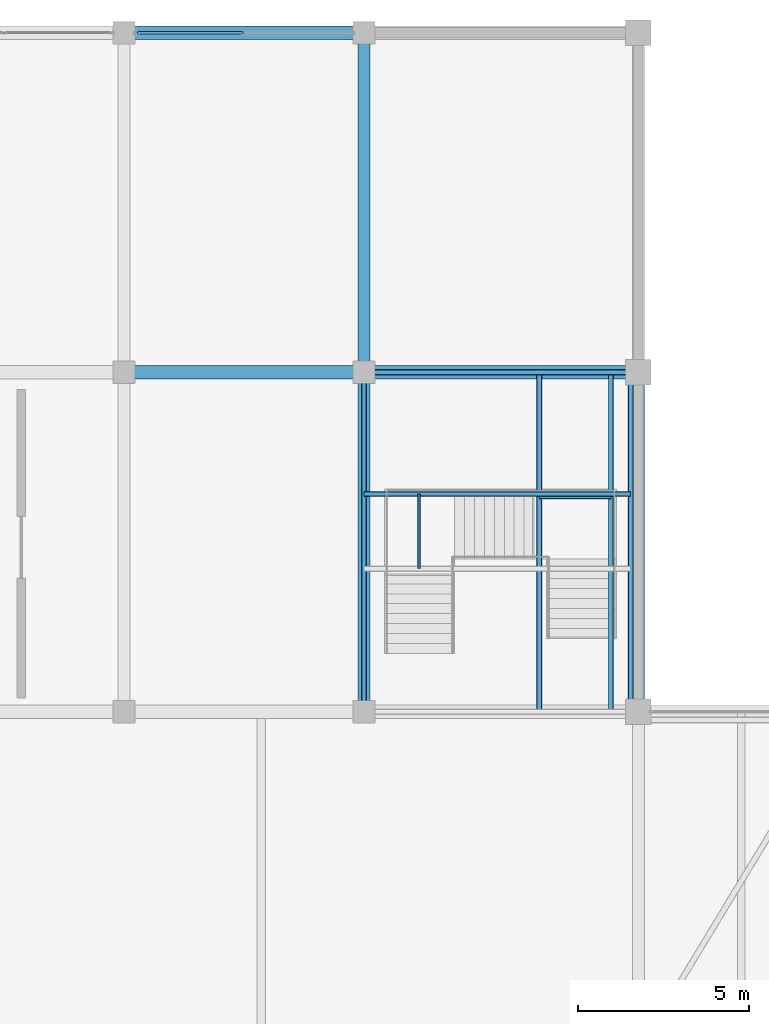
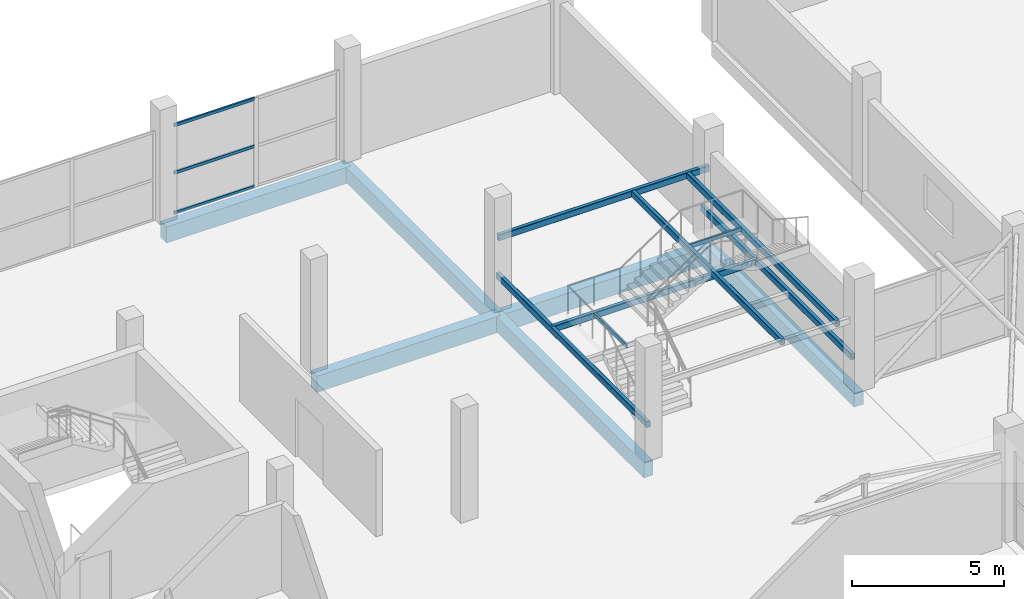
# One storey, part 45 of 69: 14 beams, 3 members, 1 element without a shape of its own.
"""IFC4 building model written with IfcOpenShell, lengths in metres."""

from ifc_helpers import new_model, si_unit, direction, frame, origin, origin_2d, place, context, subcontext, project, spatial, rectangle, hollow_rectangle, extrude, material, layer, layer_set, material_profile, profile_set, type_object, element, aggregate, save


model = new_model("IFC4")

# Units and contexts
model_context = context("Model", 3, precision=1e-05, world=origin(), true_north=direction((0.0, 1.0)))
body_context = subcontext(model_context, "Body", "Model", "MODEL_VIEW")
ifc_project = project(units=[si_unit("LENGTHUNIT", "METRE"), si_unit("AREAUNIT", "SQUARE_METRE"), si_unit("VOLUMEUNIT", "CUBIC_METRE"), si_unit("PLANEANGLEUNIT", "RADIAN"), si_unit("MASSUNIT", "GRAM", prefix="KILO")], contexts=[model_context])

# Site, building, storey
site_placement = place(None, origin())
site = spatial("IfcSite", under=ifc_project, at=site_placement, CompositionType="ELEMENT")
building_placement = place(site_placement, origin())
building = spatial("IfcBuilding", under=site, at=building_placement, Name="Sillaruma Civic Art Gallery", CompositionType="ELEMENT")
storey_placement = place(building_placement, frame((0.0, 0.0, 42.330078125)))
storey = spatial("IfcBuildingStorey", under=building, at=storey_placement, Name="L08", CompositionType="ELEMENT", Elevation=42.330078125)

# Beams
ifc_material_1 = material(Name="Concrete H35 (35 MPa)", Category="concrete")
ifc_material_profile_1 = material_profile(ifc_material_1, rectangle(XDim=0.35009765625, YDim=0.60009765625, at=origin_2d()), Name="RCB350x600")
ifc_profile_set_1 = profile_set([ifc_material_profile_1], Name="Concrete H35 (35 MPa)")
beam_type_1 = type_object("IfcBeamType", Name="BM-BEAM-RCB350x600", PredefinedType="BEAM", material=ifc_profile_set_1)
beam_1_placement = place(storey_placement, frame((84.0, 79.199951171875, -0.580078125), z_axis=(0.0, 1.0, 0.0), x_axis=(-1.0, 0.0, 0.0)))
element("IfcBeam", 1, at=beam_1_placement, inside=storey, type_object=beam_type_1, Name="Beam BM-06 (L07:J:9-10)", PredefinedType="BEAM", context=body_context, shape_type="SweptSolid", body=[
    extrude(rectangle(XDim=0.35009765625, YDim=0.60009765625, at=origin_2d()), origin(), (0.0, 0.0, 1.0), 9.900146484375),
])
beam_2_placement = place(storey_placement, frame((84.0, 89.10009765625, -0.580078125), z_axis=(0.0, 1.0, 0.0), x_axis=(-1.0, 0.0, 0.0)))
element("IfcBeam", 2, at=beam_2_placement, inside=storey, type_object=beam_type_1, Name="Beam BM-06 (L07:J:10-11)", PredefinedType="BEAM", context=body_context, shape_type="SweptSolid", body=[
    extrude(rectangle(XDim=0.35009765625, YDim=0.60009765625, at=origin_2d()), origin(), (0.0, 0.0, 1.0), 9.89990234375),
])
ifc_material_profile_2 = material_profile(ifc_material_1, rectangle(XDim=0.39990234375, YDim=0.64990234375, at=origin_2d()), Name="RCB400x650")
ifc_profile_set_2 = profile_set([ifc_material_profile_2], Name="Concrete H35 (35 MPa)")
beam_type_2 = type_object("IfcBeamType", Name="BM-BEAM-RCB400x650", PredefinedType="BEAM", material=ifc_profile_set_2)
beam_3_placement = place(storey_placement, frame((77.0, 89.10009765625, -0.60498046875), z_axis=(1.0, 0.0, 0.0), x_axis=(0.0, 1.0, 0.0)))
element("IfcBeam", 3, at=beam_3_placement, inside=storey, type_object=beam_type_2, Name="Beam BM-05 (L07:10:H-J)", PredefinedType="BEAM", context=body_context, shape_type="SweptSolid", body=[
    extrude(rectangle(XDim=0.39990234375, YDim=0.64990234375, at=origin_2d()), origin(), (0.0, 0.0, 1.0), 7.0),
])
ifc_material_profile_3 = material_profile(ifc_material_1, rectangle(XDim=0.39990234375, YDim=0.699951171875, at=origin_2d()), Name="RCB400x700")
ifc_profile_set_3 = profile_set([ifc_material_profile_3], Name="Concrete H35 (35 MPa)")
beam_type_3 = type_object("IfcBeamType", Name="BM-BEAM-RCB400x700", PredefinedType="BEAM", material=ifc_profile_set_3)
beam_4_placement = place(storey_placement, frame((84.0, 89.10009765625, -0.630126953125), z_axis=(1.0, 0.0, 0.0), x_axis=(0.0, 1.0, 0.0)))
element("IfcBeam", 4, at=beam_4_placement, inside=storey, type_object=beam_type_3, Name="Beam BM-04 (L07:10:J-K)", PredefinedType="BEAM", context=body_context, shape_type="SweptSolid", body=[
    extrude(rectangle(XDim=0.39990234375, YDim=0.699951171875, at=origin_2d()), origin(), (0.0, 0.0, 1.0), 8.0),
])
ifc_material_2 = material(Name="Structural Steel ASTM A500 Gr.C", Category="steel")
ifc_material_profile_4 = material_profile(ifc_material_2, hollow_rectangle(XDim=0.080078125, YDim=0.159912109375, WallThickness=0.008056640625, InnerFilletRadius=0.008056640625, OuterFilletRadius=0.01611328125, at=origin_2d()), Name="HSS160x80x8")
ifc_profile_set_4 = profile_set([ifc_material_profile_4], Name="Structural Steel ASTM A500 Gr.C")
beam_type_4 = type_object("IfcBeamType", Name="BM-FS-HSS160", PredefinedType="BEAM", material=ifc_profile_set_4)
beam_5_placement = place(storey_placement, frame((85.60009765625, 83.3701171875, 1.264892578125), z_axis=(0.0, 1.0, 0.0), x_axis=(-1.0, 0.0, 0.0)))
element("IfcBeam", 5, at=beam_5_placement, inside=storey, type_object=beam_type_4, Name="Feature Stair L1 Spreader (ST-G05)", PredefinedType="BEAM", context=body_context, shape_type="SweptSolid", body=[
    extrude(hollow_rectangle(XDim=0.080078125, YDim=0.159912109375, WallThickness=0.008056640625, InnerFilletRadius=0.008056640625, OuterFilletRadius=0.01611328125, at=origin_2d()), origin(), (0.0, 0.0, 1.0), 2.179931640625),
])
beam_6_placement = place(storey_placement, frame((89.110107421875, 85.449951171875, 2.794921875), z_axis=(1.0, 0.0, 0.0), x_axis=(0.0, 1.0, 0.0)))
element("IfcBeam", 6, at=beam_6_placement, inside=storey, type_object=beam_type_4, Name="Feature Stair L2 Spreader (ST-G05)", PredefinedType="BEAM", context=body_context, shape_type="SweptSolid", body=[
    extrude(hollow_rectangle(XDim=0.080078125, YDim=0.159912109375, WallThickness=0.008056640625, InnerFilletRadius=0.008056640625, OuterFilletRadius=0.01611328125, at=origin_2d()), origin(), (0.0, 0.0, 1.0), 2.08984375),
])
ifc_material_profile_5 = material_profile(ifc_material_2, hollow_rectangle(XDim=0.14990234375, YDim=0.25, WallThickness=0.010009765625, InnerFilletRadius=0.010009765625, OuterFilletRadius=0.02001953125, at=origin_2d()), Name="HSS250x150x10")
ifc_profile_set_5 = profile_set([ifc_material_profile_5], Name="Structural Steel ASTM A500 Gr.C")
beam_type_5 = type_object("IfcBeamType", Name="BM-LND-HSS200", PredefinedType="BEAM", material=ifc_profile_set_5)
for number, where, z_axis, x_axis, name in (
    (7, (84.0, 79.199951171875, 1.219970703125), (0.0, 1.0, 0.0), (-1.0, 0.0, 0.0), "Feature Stair L1 Rail (ST-G05-W)"),
    (8, (91.77490234375, 79.199951171875, 1.219970703125), (0.0, 1.0, 0.0), (-1.0, 0.0, 0.0), "Feature Stair L1 Rail (ST-G05-E)"),
):
    element("IfcBeam", number, at=place(storey_placement, frame(where, z_axis=z_axis, x_axis=x_axis)), inside=storey, type_object=beam_type_5, Name=name, PredefinedType="BEAM", context=body_context, shape_type="SweptSolid", body=[
        extrude(hollow_rectangle(XDim=0.14990234375, YDim=0.25, WallThickness=0.010009765625, InnerFilletRadius=0.010009765625, OuterFilletRadius=0.02001953125, at=origin_2d()), origin(), (0.0, 0.0, 1.0), 9.900146484375),
    ])
beam_7_placement = place(storey_placement, frame((84.0, 85.550048828125, 1.219970703125), z_axis=(1.0, 0.0, 0.0), x_axis=(0.0, 1.0, 0.0)))
element("IfcBeam", 9, at=beam_7_placement, inside=storey, type_object=beam_type_5, Name="Feature Stair L1 Girder (ST-G05-2)", PredefinedType="BEAM", context=body_context, shape_type="SweptSolid", body=[
    extrude(hollow_rectangle(XDim=0.14990234375, YDim=0.25, WallThickness=0.010009765625, InnerFilletRadius=0.010009765625, OuterFilletRadius=0.02001953125, at=origin_2d()), origin(), (0.0, 0.0, 1.0), 7.77490234375),
])
beam_8_placement = place(storey_placement, frame((84.0, 89.10009765625, 2.75), z_axis=(1.0, 0.0, 0.0), x_axis=(0.0, 1.0, 0.0)))
element("IfcBeam", 10, at=beam_8_placement, inside=storey, type_object=beam_type_5, Name="Feature Stair L2 Rail (ST-G05-N)", PredefinedType="BEAM", context=body_context, shape_type="SweptSolid", body=[
    extrude(hollow_rectangle(XDim=0.14990234375, YDim=0.25, WallThickness=0.010009765625, InnerFilletRadius=0.010009765625, OuterFilletRadius=0.02001953125, at=origin_2d()), origin(), (0.0, 0.0, 1.0), 8.0),
])
for number, where, z_axis, x_axis, name in (
    (11, (89.110107421875, 79.199951171875, 2.75), (0.0, 1.0, 0.0), (-1.0, 0.0, 0.0), "Feature Stair L2 Girder (ST-G05-1)"),
    (12, (91.199951171875, 79.199951171875, 2.75), (0.0, 1.0, 0.0), (-1.0, 0.0, 0.0), "Feature Stair L2 Girder (ST-G05-2)"),
):
    element("IfcBeam", number, at=place(storey_placement, frame(where, z_axis=z_axis, x_axis=x_axis)), inside=storey, type_object=beam_type_5, Name=name, PredefinedType="BEAM", context=body_context, shape_type="SweptSolid", body=[
        extrude(hollow_rectangle(XDim=0.14990234375, YDim=0.25, WallThickness=0.010009765625, InnerFilletRadius=0.010009765625, OuterFilletRadius=0.02001953125, at=origin_2d()), origin(), (0.0, 0.0, 1.0), 9.900146484375),
    ])
ifc_material_profile_6 = material_profile(ifc_material_1, rectangle(XDim=0.35009765625, YDim=0.550048828125, at=origin_2d()), Name="RCB350x550")
ifc_profile_set_6 = profile_set([ifc_material_profile_6], Name="Concrete H35 (35 MPa)")
beam_type_6 = type_object("IfcBeamType", Name="BM-SPANDREL-RCB350x550", PredefinedType="SPANDREL", material=ifc_profile_set_6)
beam_9_placement = place(storey_placement, frame((92.0, 79.199951171875, -0.55517578125), z_axis=(0.0, 1.0, 0.0), x_axis=(-1.0, 0.0, 0.0)))
element("IfcBeam", 13, at=beam_9_placement, inside=storey, type_object=beam_type_6, Name="Beam BS-04 (L07:K:9-10)", PredefinedType="SPANDREL", context=body_context, shape_type="SweptSolid", body=[
    extrude(rectangle(XDim=0.35009765625, YDim=0.550048828125, at=origin_2d()), origin(), (0.0, 0.0, 1.0), 9.900146484375),
])
ifc_material_profile_7 = material_profile(ifc_material_1, rectangle(XDim=0.39990234375, YDim=0.64990234375, at=origin_2d()), Name="RCB400x650")
ifc_profile_set_7 = profile_set([ifc_material_profile_7], Name="Concrete H35 (35 MPa)")
beam_type_7 = type_object("IfcBeamType", Name="BM-SPANDREL-RCB400x650", PredefinedType="SPANDREL", material=ifc_profile_set_7)
beam_10_placement = place(storey_placement, frame((77.0, 99.0, -0.60498046875), z_axis=(1.0, 0.0, 0.0), x_axis=(0.0, 1.0, 0.0)))
element("IfcBeam", 14, at=beam_10_placement, inside=storey, type_object=beam_type_7, Name="Beam BS-02 (L07:11:H-J)", PredefinedType="SPANDREL", context=body_context, shape_type="SweptSolid", body=[
    extrude(rectangle(XDim=0.39990234375, YDim=0.64990234375, at=origin_2d()), origin(), (0.0, 0.0, 1.0), 7.0),
])

# Curtain wall, members
ifc_material_3 = material(Name="Thermally Broken Extruded Aluminium 6063-T6", Category="aluminium")
ifc_layer = layer(ifc_material_3, 0.179931640625, Name="Thermally Broken Extruded Aluminium 6063-T6")
ifc_layer_set = layer_set([ifc_layer], Name="Thermally Broken Extruded Aluminium 6063-T6")
curtain_wall_type = type_object("IfcCurtainWallType", Name="CW-UNI-57", PredefinedType="NOTDEFINED", material=ifc_layer_set)
curtain_wall_placement = place(storey_placement, origin())
curtain_wall = element("IfcCurtainWall", 15, at=curtain_wall_placement, inside=storey, type_object=curtain_wall_type, Name="Unitised Curtain Wall CW-57 (CW-L08-WBN-3)", PredefinedType="NOTDEFINED")
ifc_material_profile_8 = material_profile(ifc_material_3, hollow_rectangle(XDim=0.06494140625, YDim=0.1201171875, WallThickness=0.00341796875, at=origin_2d()), Name="CWT65x120")
ifc_profile_set_8 = profile_set([ifc_material_profile_8], Name="Thermally Broken Extruded Aluminium 6063-T6")
member_type = type_object("IfcMemberType", Name="MEM-TRN-CWT65x120", PredefinedType="USERDEFINED", material=ifc_profile_set_8)
member_1_placement = place(storey_placement, frame((77.39501953125, 99.0, 0.032470703125), z_axis=(1.0, 0.0, 0.0), x_axis=(0.0, 1.0, 0.0)))
member_1 = element("IfcMember", 16, at=member_1_placement, type_object=member_type, Name="CW-57 transom 1.1", ObjectType="TRANSOM", PredefinedType="USERDEFINED", context=body_context, shape_type="SweptSolid", body=[
    extrude(hollow_rectangle(XDim=0.06494140625, YDim=0.1201171875, WallThickness=0.00341796875, at=origin_2d()), origin(), (0.0, 0.0, 1.0), 3.070068359375),
])
member_2_placement = place(storey_placement, frame((77.39501953125, 99.0, 1.6513671875), z_axis=(1.0, 0.0, 0.0), x_axis=(0.0, 1.0, 0.0)))
member_2 = element("IfcMember", 17, at=member_2_placement, type_object=member_type, Name="CW-57 transom 1.2", ObjectType="TRANSOM", PredefinedType="USERDEFINED", context=body_context, shape_type="SweptSolid", body=[
    extrude(hollow_rectangle(XDim=0.06494140625, YDim=0.1201171875, WallThickness=0.00341796875, at=origin_2d()), origin(), (0.0, 0.0, 1.0), 3.070068359375),
])
member_3_placement = place(storey_placement, frame((77.39501953125, 99.0, 3.557373046875), z_axis=(1.0, 0.0, 0.0), x_axis=(0.0, 1.0, 0.0)))
member_3 = element("IfcMember", 18, at=member_3_placement, type_object=member_type, Name="CW-57 transom 1.3", ObjectType="TRANSOM", PredefinedType="USERDEFINED", context=body_context, shape_type="SweptSolid", body=[
    extrude(hollow_rectangle(XDim=0.06494140625, YDim=0.1201171875, WallThickness=0.00341796875, at=origin_2d()), origin(), (0.0, 0.0, 1.0), 3.070068359375),
])
aggregate(curtain_wall, [member_1, member_2, member_3])

save(model, "model.ifc")
